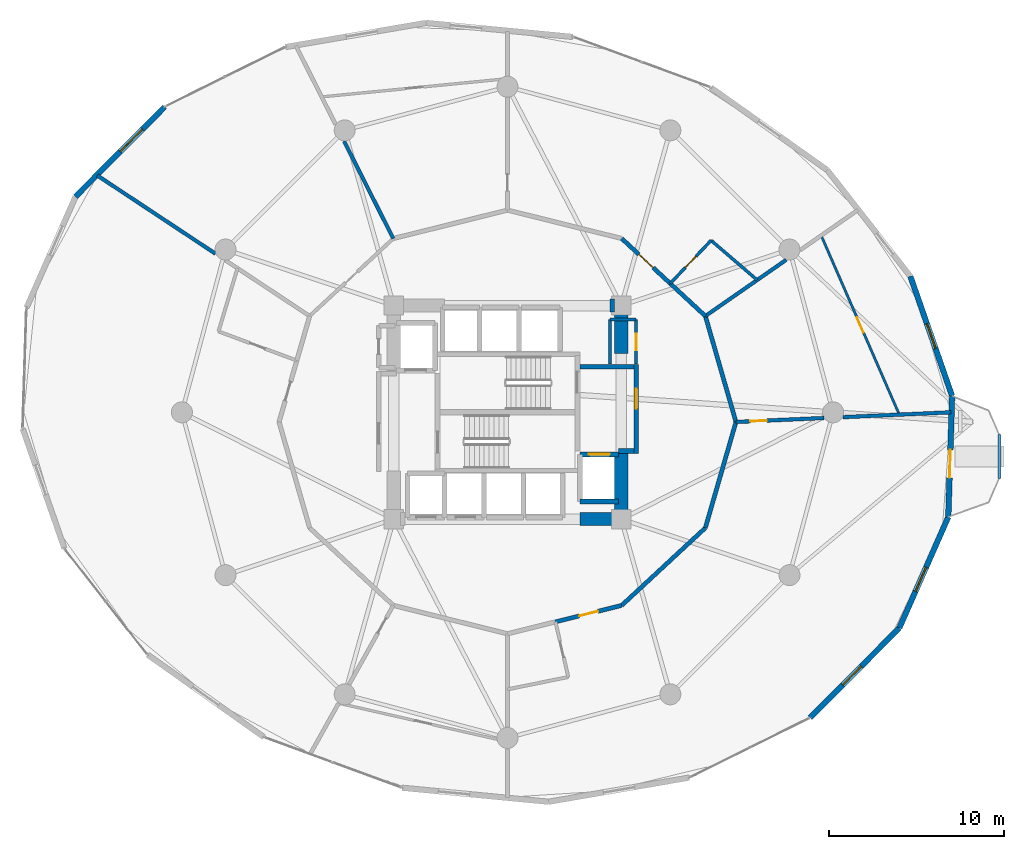
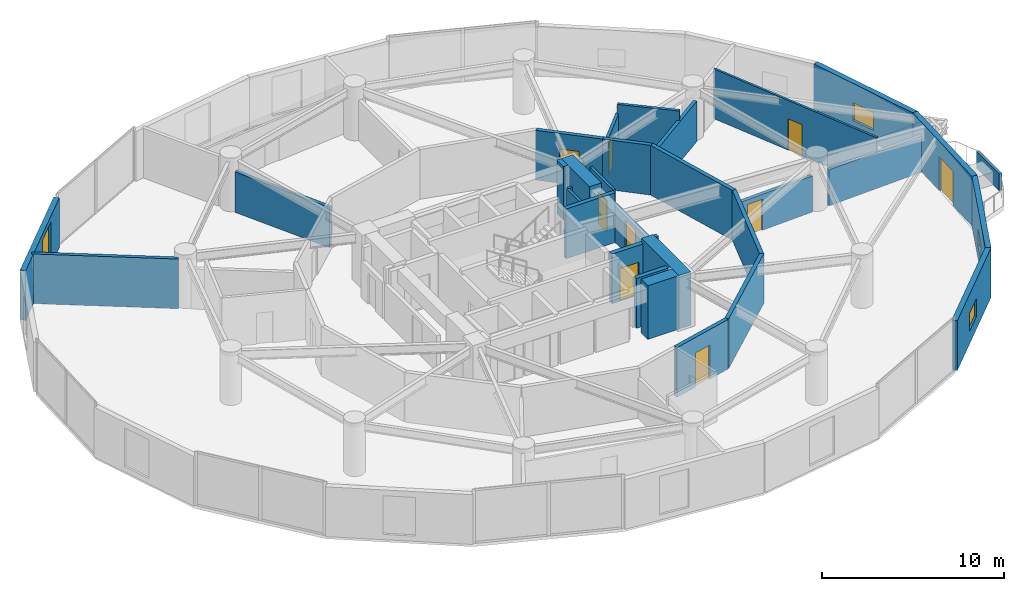
# One storey, part 18 of 22: 32 walls, 9 doors, 4 windows, 13 openings.
"""IFC4 building model written with IfcOpenShell, lengths in metres."""

from ifc_helpers import new_model, si_unit, direction, frame, frame_2d, origin, place, context, subcontext, project, spatial, rectangle, extrude, material, layer, layer_set, type_object, element, fill, save


model = new_model("IFC4")

# Units and contexts
model_context = context("Model", 3, precision=1e-05, world=origin(), true_north=direction((0.0, 1.0)))
body_context = subcontext(model_context, "Body", "Model", "MODEL_VIEW")
ifc_project = project(units=[si_unit("LENGTHUNIT", "METRE"), si_unit("AREAUNIT", "SQUARE_METRE"), si_unit("VOLUMEUNIT", "CUBIC_METRE"), si_unit("PLANEANGLEUNIT", "RADIAN"), si_unit("MASSUNIT", "GRAM", prefix="KILO")], contexts=[model_context])

# Site, building, storey
site_placement = place(None, origin())
site = spatial("IfcSite", under=ifc_project, at=site_placement, CompositionType="ELEMENT")
building_placement = place(site_placement, origin())
building = spatial("IfcBuilding", under=site, at=building_placement, Name="Solvirekh Grand Hotel", CompositionType="ELEMENT")
storey_placement = place(building_placement, frame((0.0, 0.0, 53.60009765625)))
storey = spatial("IfcBuildingStorey", under=building, at=storey_placement, Name="L12", CompositionType="ELEMENT", Elevation=53.60009765625)

# Wall
ifc_material_1 = material(Name="Concrete C40/50", Category="concrete")
ifc_layer_1 = layer(ifc_material_1, 0.280029296875)
ifc_layer_set_1 = layer_set([ifc_layer_1], Name="Concrete C40/50")
wall_type_1 = type_object("IfcWallType", Name="CoreShaftWall_RC280", PredefinedType="SOLIDWALL", material=ifc_layer_set_1)
wall_1_placement = place(storey_placement, frame((4.14990234375, -5.10009765625, 0.0), z_axis=(0.0, 0.0, 1.0), x_axis=(1.0, 0.0, 0.0)))
element("IfcWall", 1, at=wall_1_placement, inside=storey, type_object=wall_type_1, Name="L12 FL-2 hoistway S wall", PredefinedType="SOLIDWALL", context=body_context, shape_type="SweptSolid", body=[
    extrude(rectangle(XDim=2.2001953125, YDim=0.280029296875, at=frame_2d((1.10009765625, 0.0))), origin(), (0.0, 0.0, 1.0), 3.33984375),
])

# Wall, opening, door
wall_2_placement = place(storey_placement, frame((6.35009765625, -2.39990234375, 0.0), z_axis=(0.0, 0.0, 1.0), x_axis=(-1.0, 0.0, 0.0)))
wall_2 = element("IfcWall", 2, at=wall_2_placement, inside=storey, type_object=wall_type_1, Name="L12 FL-2 hoistway N wall", PredefinedType="SOLIDWALL", context=body_context, shape_type="SweptSolid", body=[
    extrude(rectangle(XDim=2.2001953125, YDim=0.280029296875, at=frame_2d((1.10009765625, 0.0))), origin(), (0.0, 0.0, 1.0), 3.33984375),
])
opening_1_placement = place(wall_2_placement, frame((0.5, 0.0, 0.0)))
opening_1 = element("IfcOpeningElement", 3, at=opening_1_placement, cuts=wall_2, Name="Opening LD02", PredefinedType="OPENING", context=body_context, shape_type="SweptSolid", body=[
    extrude(rectangle(XDim=1.199951171875, YDim=2.199951171875, at=frame_2d((0.60009765625, 1.10009765625))), frame((0.0, 0.14990234375, 0.0), z_axis=(0.0, -1.0, 0.0), x_axis=(1.0, 0.0, 0.0)), (0.0, 0.0, 1.0), 0.300048828125),
])
ifc_material_2 = material(Name="Fire-Rated Steel Door Assembly", Category="steel")
door_type_1 = type_object("IfcDoorType", Name="Door_LiftFF_1200X2200", OperationType="SLIDING_TO_LEFT", PredefinedType="DOOR", material=ifc_material_2)
door_1_placement = place(opening_1_placement, origin())
door_1 = element("IfcDoor", 4, at=door_1_placement, inside=storey, type_object=door_type_1, Name="L12 FL-2 sliding lift landing door", OperationType="SLIDING_TO_LEFT", OverallHeight=2.199951171875, OverallWidth=1.199951171875, PredefinedType="DOOR", context=body_context, shape_type="SweptSolid", body=[
    extrude(rectangle(XDim=1.199951171875, YDim=2.199951171875, at=frame_2d((0.60009765625, 1.10009765625))), frame((0.0, 0.02490234375, 0.0), z_axis=(0.0, -1.0, 0.0), x_axis=(1.0, 0.0, 0.0)), (0.0, 0.0, 1.0), 0.050048828125),
])
fill(opening_1, door_1)

# Walls
ifc_material_3 = material(Name="Concrete C60/75", Category="concrete")
ifc_layer_2 = layer(ifc_material_3, 0.75)
ifc_layer_set_2 = layer_set([ifc_layer_2], Name="Concrete C60/75")
wall_type_2 = type_object("IfcWallType", Name="CoreWall_RC750", PredefinedType="SHEAR", material=ifc_layer_set_2)
wall_3_placement = place(storey_placement, frame((4.14990234375, -6.10009765625, 0.0), z_axis=(0.0, 0.0, 1.0), x_axis=(1.0, 0.0, 0.0)))
element("IfcWall", 5, at=wall_3_placement, inside=storey, type_object=wall_type_2, Name="L12 core corner shear wall SE-S", PredefinedType="SHEAR", context=body_context, shape_type="SweptSolid", body=[
    extrude(rectangle(XDim=1.97509765625, YDim=0.75, at=frame_2d((0.987548828125, 0.0))), origin(), (0.0, 0.0, 1.0), 3.599853515625),
])
wall_4_placement = place(storey_placement, frame((5.85009765625, 6.10009765625, 0.0), z_axis=(0.0, 0.0, 1.0), x_axis=(1.0, 0.0, 0.0)))
element("IfcWall", 6, at=wall_4_placement, inside=storey, type_object=wall_type_2, Name="L12 core corner shear wall NE-N", PredefinedType="SHEAR", context=body_context, shape_type="SweptSolid", body=[
    extrude(rectangle(XDim=0.27490234375, YDim=0.75, at=frame_2d((0.137451171875, 0.0))), origin(), (0.0, 0.0, 1.0), 3.599853515625),
])
wall_5_placement = place(storey_placement, frame((6.5, -6.47509765625, 0.0), z_axis=(0.0, 0.0, 1.0), x_axis=(0.0, 1.0, 0.0)))
element("IfcWall", 7, at=wall_5_placement, inside=storey, type_object=wall_type_2, Name="L12 core corner shear wall ES-E", PredefinedType="SHEAR", context=body_context, shape_type="SweptSolid", body=[
    extrude(rectangle(XDim=4.125, YDim=0.75, at=frame_2d((2.0625, 0.0))), origin(), (0.0, 0.0, 1.0), 3.599853515625),
])
wall_6_placement = place(storey_placement, frame((6.5, 3.35009765625, 0.0), z_axis=(0.0, 0.0, 1.0), x_axis=(0.0, 1.0, 0.0)))
element("IfcWall", 8, at=wall_6_placement, inside=storey, type_object=wall_type_2, Name="L12 core corner shear wall EN-E", PredefinedType="SHEAR", context=body_context, shape_type="SweptSolid", body=[
    extrude(rectangle(XDim=3.125, YDim=0.75, at=frame_2d((1.5625, 0.0))), origin(), (0.0, 0.0, 1.0), 3.599853515625),
])

# Wall, opening, door
ifc_material_4 = material(Name="Precast concrete C45/55", Category="concrete")
ifc_layer_3 = layer(ifc_material_4, 0.320068359375)
ifc_layer_set_3 = layer_set([ifc_layer_3], Name="Precast concrete C45/55")
wall_type_3 = type_object("IfcWallType", Name="ExtLobbyWall_RC320", PredefinedType="SOLIDWALL", material=ifc_layer_set_3)
wall_7_placement = place(storey_placement, frame((25.39697265625, 0.93994140625, 0.0), z_axis=(0.0, 0.0, 1.0), x_axis=(-0.031481284459, -0.999504341526, 0.0)))
wall_7 = element("IfcWall", 9, at=wall_7_placement, inside=storey, type_object=wall_type_3, Name="L12 exterior structural wall chord 1", PredefinedType="SOLIDWALL", context=body_context, shape_type="SweptSolid", body=[
    extrude(rectangle(XDim=6.92529296875, YDim=0.320068359375, at=frame_2d((3.462646484375, 0.0))), origin(), (0.0, 0.0, 1.0), 3.33984375),
])
opening_2_placement = place(wall_7_placement, frame((3.083984375, 0.0, 0.0)))
opening_2 = element("IfcOpeningElement", 10, at=opening_2_placement, cuts=wall_7, Name="Opening D04", PredefinedType="OPENING", context=body_context, shape_type="SweptSolid", body=[
    extrude(rectangle(XDim=1.60009765625, YDim=2.300048828125, at=frame_2d((0.800048828125, 1.14990234375))), frame((0.0, 0.169921875, 0.0), z_axis=(0.0, -1.0, 0.0), x_axis=(1.0, 0.0, 0.0)), (0.0, 0.0, 1.0), 0.340087890625),
])
ifc_material_5 = material(Name="Anodized Bronze Aluminium 6063-T6", Category="aluminium")
door_type_2 = type_object("IfcDoorType", Name="Door_ExtTerrace_1600X2300", OperationType="NOTDEFINED", PredefinedType="DOOR", material=ifc_material_5)
door_2_placement = place(opening_2_placement, origin())
door_2 = element("IfcDoor", 11, at=door_2_placement, inside=storey, type_object=door_type_2, Name="L12 East horn sky-garden terrace door (1)", OperationType="SINGLE_SWING_RIGHT", OverallHeight=2.300048828125, OverallWidth=1.60009765625, PredefinedType="DOOR", context=body_context, shape_type="SweptSolid", body=[
    extrude(rectangle(XDim=1.60009765625, YDim=2.300048828125, at=frame_2d((0.800048828125, 1.14990234375))), frame((0.0, 0.02490234375, 0.0), z_axis=(0.0, -1.0, 0.0), x_axis=(1.0, 0.0, 0.0)), (0.0, 0.0, 1.0), 0.050048828125),
])
fill(opening_2, door_2)

# Wall, opening, window
wall_8_placement = place(storey_placement, frame((23.01611328125, 7.77099609375, 0.0), z_axis=(0.0, 0.0, 1.0), x_axis=(0.329117450575, -0.944288993755, 0.0)))
wall_8 = element("IfcWall", 12, at=wall_8_placement, inside=storey, type_object=wall_type_3, Name="L12 cantilevered deck support wall chord 2", PredefinedType="SOLIDWALL", context=body_context, shape_type="SweptSolid", body=[
    extrude(rectangle(XDim=7.234130859375, YDim=0.320068359375, at=frame_2d((3.6171875, 0.0))), origin(), (0.0, 0.0, 1.0), 3.33984375),
])
opening_3_placement = place(wall_8_placement, frame((2.866943359375, 0.0, 0.85009765625)))
opening_3 = element("IfcOpeningElement", 13, at=opening_3_placement, cuts=wall_8, Name="Opening W05", PredefinedType="OPENING", context=body_context, shape_type="SweptSolid", body=[
    extrude(rectangle(XDim=1.5, YDim=1.199951171875, at=frame_2d((0.75, 0.60009765625))), frame((0.0, 0.169921875, 0.0), z_axis=(0.0, -1.0, 0.0), x_axis=(1.0, 0.0, 0.0)), (0.0, 0.0, 1.0), 0.340087890625),
])
ifc_material_6 = material(Name="Low-E Tinted Bronze Laminated Glass", Category="aluminium")
window_type_1 = type_object("IfcWindowType", Name="Win_PlantVent_1500X1200", PartitioningType="SINGLE_PANEL", PredefinedType="WINDOW", material=ifc_material_6)
window_1_placement = place(opening_3_placement, origin())
window_1 = element("IfcWindow", 14, at=window_1_placement, inside=storey, type_object=window_type_1, Name="L12 bronze-framed vision ribbon window 2", OverallHeight=1.199951171875, OverallWidth=1.5, PartitioningType="SINGLE_PANEL", PredefinedType="WINDOW", context=body_context, shape_type="SweptSolid", body=[
    extrude(rectangle(XDim=1.5, YDim=1.199951171875, at=frame_2d((0.75, 0.60009765625))), frame((0.0, 0.030029296875, 0.0), z_axis=(0.0, -1.0, 0.0), x_axis=(1.0, 0.0, 0.0)), (0.0, 0.0, 1.0), 0.06005859375),
])
fill(opening_3, window_1)

wall_9_placement = place(storey_placement, frame((-24.68408203125, 12.318115234375, 0.0), z_axis=(0.0, 0.0, 1.0), x_axis=(0.704841676805, 0.709364652798, 0.0)))
wall_9 = element("IfcWall", 15, at=wall_9_placement, inside=storey, type_object=wall_type_3, Name="L12 exterior structural wall chord 9", PredefinedType="SOLIDWALL", context=body_context, shape_type="SweptSolid", body=[
    extrude(rectangle(XDim=7.233154296875, YDim=0.320068359375, at=frame_2d((3.61669921875, 0.0))), origin(), (0.0, 0.0, 1.0), 3.33984375),
])
opening_4_placement = place(wall_9_placement, frame((3.637939453125, 0.0, 0.35009765625)))
opening_4 = element("IfcOpeningElement", 16, at=opening_4_placement, cuts=wall_9, Name="Opening W02", PredefinedType="OPENING", context=body_context, shape_type="SweptSolid", body=[
    extrude(rectangle(XDim=1.800048828125, YDim=2.60009765625, at=frame_2d((0.89990234375, 1.300048828125))), frame((0.0, 0.169921875, 0.0), z_axis=(0.0, -1.0, 0.0), x_axis=(1.0, 0.0, 0.0)), (0.0, 0.0, 1.0), 0.340087890625),
])
window_type_2 = type_object("IfcWindowType", Name="Win_LobbyExt_1800X2600", PartitioningType="SINGLE_PANEL", PredefinedType="WINDOW", material=ifc_material_6)
window_2_placement = place(opening_4_placement, origin())
window_2 = element("IfcWindow", 17, at=window_2_placement, inside=storey, type_object=window_type_2, Name="L12 panoramic bronze-framed window 9", OverallHeight=2.60009765625, OverallWidth=1.800048828125, PartitioningType="SINGLE_PANEL", PredefinedType="WINDOW", context=body_context, shape_type="SweptSolid", body=[
    extrude(rectangle(XDim=1.800048828125, YDim=2.60009765625, at=frame_2d((0.89990234375, 1.300048828125))), frame((0.0, 0.030029296875, 0.0), z_axis=(0.0, -1.0, 0.0), x_axis=(1.0, 0.0, 0.0)), (0.0, 0.0, 1.0), 0.06005859375),
])
fill(opening_4, window_2)

wall_10_placement = place(storey_placement, frame((22.384033203125, -12.318115234375, 0.0), z_axis=(0.0, 0.0, 1.0), x_axis=(-0.704841676805, -0.709364652798, 0.0)))
wall_10 = element("IfcWall", 18, at=wall_10_placement, inside=storey, type_object=wall_type_3, Name="L12 cantilevered deck support wall chord 19", PredefinedType="SOLIDWALL", context=body_context, shape_type="SweptSolid", body=[
    extrude(rectangle(XDim=7.233154296875, YDim=0.320068359375, at=frame_2d((3.61669921875, 0.0))), origin(), (0.0, 0.0, 1.0), 3.33984375),
])
opening_5_placement = place(wall_10_placement, frame((3.0849609375, 0.0, 0.85009765625)))
opening_5 = element("IfcOpeningElement", 19, at=opening_5_placement, cuts=wall_10, Name="Opening W05", PredefinedType="OPENING", context=body_context, shape_type="SweptSolid", body=[
    extrude(rectangle(XDim=1.5, YDim=1.199951171875, at=frame_2d((0.75, 0.60009765625))), frame((0.0, 0.169921875, 0.0), z_axis=(0.0, -1.0, 0.0), x_axis=(1.0, 0.0, 0.0)), (0.0, 0.0, 1.0), 0.340087890625),
])
window_3_placement = place(opening_5_placement, origin())
window_3 = element("IfcWindow", 20, at=window_3_placement, inside=storey, type_object=window_type_1, Name="L12 bronze-framed vision ribbon window 19", OverallHeight=1.199951171875, OverallWidth=1.5, PartitioningType="SINGLE_PANEL", PredefinedType="WINDOW", context=body_context, shape_type="SweptSolid", body=[
    extrude(rectangle(XDim=1.5, YDim=1.199951171875, at=frame_2d((0.75, 0.60009765625))), frame((0.0, 0.030029296875, 0.0), z_axis=(0.0, -1.0, 0.0), x_axis=(1.0, 0.0, 0.0)), (0.0, 0.0, 1.0), 0.06005859375),
])
fill(opening_5, window_3)

wall_11_placement = place(storey_placement, frame((25.178955078125, -5.98193359375, 0.0), z_axis=(0.0, 0.0, 1.0), x_axis=(-0.403585525447, -0.914941923648, 0.0)))
wall_11 = element("IfcWall", 21, at=wall_11_placement, inside=storey, type_object=wall_type_3, Name="L12 cantilevered deck support wall chord 20", PredefinedType="SOLIDWALL", context=body_context, shape_type="SweptSolid", body=[
    extrude(rectangle(XDim=6.92529296875, YDim=0.320068359375, at=frame_2d((3.462646484375, 0.0))), origin(), (0.0, 0.0, 1.0), 3.33984375),
])
opening_6_placement = place(wall_11_placement, frame((3.138916015625, 0.0, 0.85009765625)))
opening_6 = element("IfcOpeningElement", 22, at=opening_6_placement, cuts=wall_11, Name="Opening W05", PredefinedType="OPENING", context=body_context, shape_type="SweptSolid", body=[
    extrude(rectangle(XDim=1.5, YDim=1.199951171875, at=frame_2d((0.75, 0.60009765625))), frame((0.0, 0.169921875, 0.0), z_axis=(0.0, -1.0, 0.0), x_axis=(1.0, 0.0, 0.0)), (0.0, 0.0, 1.0), 0.340087890625),
])
window_4_placement = place(opening_6_placement, origin())
window_4 = element("IfcWindow", 23, at=window_4_placement, inside=storey, type_object=window_type_1, Name="L12 bronze-framed vision ribbon window 20", OverallHeight=1.199951171875, OverallWidth=1.5, PartitioningType="SINGLE_PANEL", PredefinedType="WINDOW", context=body_context, shape_type="SweptSolid", body=[
    extrude(rectangle(XDim=1.5, YDim=1.199951171875, at=frame_2d((0.75, 0.60009765625))), frame((0.0, 0.030029296875, 0.0), z_axis=(0.0, -1.0, 0.0), x_axis=(1.0, 0.0, 0.0)), (0.0, 0.0, 1.0), 0.06005859375),
])
fill(opening_6, window_4)

# Wall
ifc_layer_4 = layer(ifc_material_4, 0.179931640625)
ifc_layer_set_4 = layer_set([ifc_layer_4], Name="Precast concrete C45/55")
wall_type_4 = type_object("IfcWallType", Name="ExtPlanterWall_180", PredefinedType="PARAPET", material=ifc_layer_set_4)
wall_12_placement = place(storey_placement, frame((28.096923828125, -3.76708984375, 0.0), z_axis=(0.0, 0.0, 1.0), x_axis=(0.0, 1.0, 0.0)))
element("IfcWall", 24, at=wall_12_placement, inside=storey, type_object=wall_type_4, Name="L12 horn sky-garden planter parapet", PredefinedType="PARAPET", context=body_context, shape_type="SweptSolid", body=[
    extrude(rectangle(XDim=2.4921875, YDim=0.179931640625, at=frame_2d((1.24609375, 0.0))), origin(), (0.0, 0.0, 1.0), 1.119873046875),
])

# Wall, opening, door
ifc_material_7 = material(Name="Acoustic Gypsum Partition Assembly")
ifc_layer_5 = layer(ifc_material_7, 0.1650390625)
ifc_layer_set_5 = layer_set([ifc_layer_5], Name="Acoustic Gypsum Partition Assembly")
wall_type_5 = type_object("IfcWallType", Name="Part_BOH_165", PredefinedType="PARTITIONING", material=ifc_layer_set_5)
wall_13_placement = place(storey_placement, frame((7.35009765625, 2.75, 0.0), z_axis=(0.0, 0.0, 1.0), x_axis=(0.0, 1.0, 0.0)))
wall_13 = element("IfcWall", 25, at=wall_13_placement, inside=storey, type_object=wall_type_5, Name="L12 L12 Core Housekeeping & Linen Room wall 2", PredefinedType="PARTITIONING", context=body_context, shape_type="SweptSolid", body=[
    extrude(rectangle(XDim=2.550048828125, YDim=0.1650390625, at=frame_2d((1.27490234375, 0.0))), origin(), (0.0, 0.0, 1.0), 3.33984375),
])
opening_7_placement = place(wall_13_placement, frame((0.800048828125, 0.0, 0.0)))
opening_7 = element("IfcOpeningElement", 26, at=opening_7_placement, cuts=wall_13, Name="Opening D10", PredefinedType="OPENING", context=body_context, shape_type="SweptSolid", body=[
    extrude(rectangle(XDim=0.949951171875, YDim=2.10009765625, at=frame_2d((0.47509765625, 1.050048828125))), frame((0.0, 0.092529296875, 0.0), z_axis=(0.0, -1.0, 0.0), x_axis=(1.0, 0.0, 0.0)), (0.0, 0.0, 1.0), 0.18505859375),
])
door_type_3 = type_object("IfcDoorType", Name="Door_RoomInt_950X2100", OperationType="NOTDEFINED", PredefinedType="DOOR", material=ifc_material_5)
door_3_placement = place(opening_7_placement, origin())
door_3 = element("IfcDoor", 27, at=door_3_placement, inside=storey, type_object=door_type_3, Name="L12 L12 Core Housekeeping & Linen Room door", OperationType="SINGLE_SWING_RIGHT", OverallHeight=2.10009765625, OverallWidth=0.949951171875, PredefinedType="DOOR", context=body_context, shape_type="SweptSolid", body=[
    extrude(rectangle(XDim=0.949951171875, YDim=2.10009765625, at=frame_2d((0.47509765625, 1.050048828125))), frame((0.0, 0.02490234375, 0.0), z_axis=(0.0, -1.0, 0.0), x_axis=(1.0, 0.0, 0.0)), (0.0, 0.0, 1.0), 0.050048828125),
])
fill(opening_7, door_3)

# Walls
wall_14_placement = place(storey_placement, frame((7.35009765625, 5.300048828125, 0.0), z_axis=(0.0, 0.0, 1.0), x_axis=(-1.0, 0.0, 0.0)))
element("IfcWall", 28, at=wall_14_placement, inside=storey, type_object=wall_type_5, Name="L12 L12 Core Housekeeping & Linen Room wall 3", PredefinedType="PARTITIONING", context=body_context, shape_type="SweptSolid", body=[
    extrude(rectangle(XDim=1.5, YDim=0.1650390625, at=frame_2d((0.75, 0.0))), origin(), (0.0, 0.0, 1.0), 2.4248046875),
])
wall_15_placement = place(storey_placement, frame((5.85009765625, 5.300048828125, 0.0), z_axis=(0.0, 0.0, 1.0), x_axis=(0.0, -1.0, 0.0)))
element("IfcWall", 29, at=wall_15_placement, inside=storey, type_object=wall_type_5, Name="L12 L12 Core Housekeeping & Linen Room wall 4", PredefinedType="PARTITIONING", context=body_context, shape_type="SweptSolid", body=[
    extrude(rectangle(XDim=2.550048828125, YDim=0.1650390625, at=frame_2d((1.27490234375, 0.0))), origin(), (0.0, 0.0, 1.0), 2.4248046875),
])

# Wall, opening, door
ifc_layer_6 = layer(ifc_material_7, 0.239990234375)
ifc_layer_set_6 = layer_set([ifc_layer_6], Name="Acoustic Gypsum Partition Assembly")
wall_type_6 = type_object("IfcWallType", Name="Part_Corridor_240", PredefinedType="PARTITIONING", material=ifc_layer_set_6)
wall_16_placement = place(storey_placement, frame((7.35009765625, -2.340087890625, 0.0), z_axis=(0.0, 0.0, 1.0), x_axis=(0.0, 1.0, 0.0)))
wall_16 = element("IfcWall", 30, at=wall_16_placement, inside=storey, type_object=wall_type_6, Name="L12 east firefighting lobby smoke screen wall", PredefinedType="PARTITIONING", context=body_context, shape_type="SweptSolid", body=[
    extrude(rectangle(XDim=5.070068359375, YDim=0.239990234375, at=frame_2d((2.53515625, 0.0))), origin(), (0.0, 0.0, 1.0), 2.4248046875),
])
opening_8_placement = place(wall_16_placement, frame((2.548095703125, 0.0, 0.0)))
opening_8 = element("IfcOpeningElement", 31, at=opening_8_placement, cuts=wall_16, Name="Opening D06", PredefinedType="OPENING", context=body_context, shape_type="SweptSolid", body=[
    extrude(rectangle(XDim=1.14990234375, YDim=2.199951171875, at=frame_2d((0.574951171875, 1.10009765625))), frame((0.0, 0.1298828125, 0.0), z_axis=(0.0, -1.0, 0.0), x_axis=(1.0, 0.0, 0.0)), (0.0, 0.0, 1.0), 0.260009765625),
])
door_type_4 = type_object("IfcDoorType", Name="Door_FFLobby_1150X2200", OperationType="NOTDEFINED", PredefinedType="DOOR", material=ifc_material_2)
door_4_placement = place(opening_8_placement, origin())
door_4 = element("IfcDoor", 32, at=door_4_placement, inside=storey, type_object=door_type_4, Name="L12 east firefighting lobby smoke door", OperationType="SINGLE_SWING_RIGHT", OverallHeight=2.199951171875, OverallWidth=1.14990234375, PredefinedType="DOOR", context=body_context, shape_type="SweptSolid", body=[
    extrude(rectangle(XDim=1.14990234375, YDim=2.199951171875, at=frame_2d((0.574951171875, 1.10009765625))), frame((0.0, 0.02490234375, 0.0), z_axis=(0.0, -1.0, 0.0), x_axis=(1.0, 0.0, 0.0)), (0.0, 0.0, 1.0), 0.050048828125),
])
fill(opening_8, door_4)

# Walls
wall_17_placement = place(storey_placement, frame((6.52490234375, -11.029052734375, 0.0), z_axis=(0.0, 0.0, 1.0), x_axis=(0.733323191675, 0.679880207501, 0.0)))
element("IfcWall", 33, at=wall_17_placement, inside=storey, type_object=wall_type_6, Name="L12 Presidential Suite 1402 Living Room corridor wall 1", PredefinedType="PARTITIONING", context=body_context, shape_type="SweptSolid", body=[
    extrude(rectangle(XDim=6.514404296875, YDim=0.239990234375, at=frame_2d((3.25732421875, 0.0))), origin(), (0.0, 0.0, 1.0), 3.33984375),
])
wall_18_placement = place(storey_placement, frame((11.302001953125, -6.60009765625, 0.0), z_axis=(0.0, 0.0, 1.0), x_axis=(0.27757702443, 0.960703385811, 0.0)))
element("IfcWall", 34, at=wall_18_placement, inside=storey, type_object=wall_type_6, Name="L12 Presidential Suite 1402 Living Room corridor wall 2", PredefinedType="PARTITIONING", context=body_context, shape_type="SweptSolid", body=[
    extrude(rectangle(XDim=6.297607421875, YDim=0.239990234375, at=frame_2d((3.14892578125, 0.0))), origin(), (0.0, 0.0, 1.0), 3.33984375),
])

# Wall, opening, door
wall_19_placement = place(storey_placement, frame((2.739990234375, -11.968994140625, 0.0), z_axis=(0.0, 0.0, 1.0), x_axis=(0.97052060898, 0.24101814775, 0.0)))
wall_19 = element("IfcWall", 35, at=wall_19_placement, inside=storey, type_object=wall_type_6, Name="L12 Presidential Suite 1402 Living Room entrance wall", PredefinedType="PARTITIONING", context=body_context, shape_type="SweptSolid", body=[
    extrude(rectangle(XDim=3.89990234375, YDim=0.239990234375, at=frame_2d((1.949951171875, 0.0))), origin(), (0.0, 0.0, 1.0), 3.33984375),
])
opening_9_placement = place(wall_19_placement, frame((1.39990234375, 0.0, 0.0)))
opening_9 = element("IfcOpeningElement", 36, at=opening_9_placement, cuts=wall_19, Name="Opening D08", PredefinedType="OPENING", context=body_context, shape_type="SweptSolid", body=[
    extrude(rectangle(XDim=1.10009765625, YDim=2.300048828125, at=frame_2d((0.550048828125, 1.14990234375))), frame((0.0, 0.1298828125, 0.0), z_axis=(0.0, -1.0, 0.0), x_axis=(1.0, 0.0, 0.0)), (0.0, 0.0, 1.0), 0.260009765625),
])
door_type_5 = type_object("IfcDoorType", Name="Door_SuiteEntry_1100X2300", OperationType="NOTDEFINED", PredefinedType="DOOR", material=ifc_material_2)
door_5_placement = place(opening_9_placement, origin())
door_5 = element("IfcDoor", 37, at=door_5_placement, inside=storey, type_object=door_type_5, Name="L12 Presidential Suite 1402 Living Room entrance door", OperationType="SINGLE_SWING_RIGHT", OverallHeight=2.300048828125, OverallWidth=1.10009765625, PredefinedType="DOOR", context=body_context, shape_type="SweptSolid", body=[
    extrude(rectangle(XDim=1.10009765625, YDim=2.300048828125, at=frame_2d((0.550048828125, 1.14990234375))), frame((0.0, 0.02490234375, 0.0), z_axis=(0.0, -1.0, 0.0), x_axis=(1.0, 0.0, 0.0)), (0.0, 0.0, 1.0), 0.050048828125),
])
fill(opening_9, door_5)

# Walls
wall_20_placement = place(storey_placement, frame((13.050048828125, -0.550048828125, 0.0), z_axis=(0.0, 0.0, 1.0), x_axis=(-0.27757702443, 0.960703385811, 0.0)))
element("IfcWall", 38, at=wall_20_placement, inside=storey, type_object=wall_type_6, Name="L12 Presidential Suite 1402 Suite Foyer corridor enclosure wall", PredefinedType="PARTITIONING", context=body_context, shape_type="SweptSolid", body=[
    extrude(rectangle(XDim=6.297607421875, YDim=0.239990234375, at=frame_2d((3.14892578125, 0.0))), origin(), (0.0, 0.0, 1.0), 3.33984375),
])
wall_21_placement = place(storey_placement, frame((11.302001953125, 5.5, 0.0), z_axis=(0.0, 0.0, 1.0), x_axis=(-0.73328595385, 0.679920370254, 0.0)))
element("IfcWall", 39, at=wall_21_placement, inside=storey, type_object=wall_type_6, Name="L12 En-suite Bathroom 1403 corridor backing wall", PredefinedType="PARTITIONING", context=body_context, shape_type="SweptSolid", body=[
    extrude(rectangle(XDim=2.73583984375, YDim=0.239990234375, at=frame_2d((1.367919921875, 0.0))), origin(), (0.0, 0.0, 1.0), 3.33984375),
])

# Wall, opening, door
wall_22_placement = place(storey_placement, frame((9.2958984375, 7.360107421875, 0.0), z_axis=(0.0, 0.0, 1.0), x_axis=(-0.733350151535, 0.679851127265, 0.0)))
wall_22 = element("IfcWall", 40, at=wall_22_placement, inside=storey, type_object=wall_type_6, Name="L12 Diplomatic Suite 1403 Living Room entrance wall", PredefinedType="PARTITIONING", context=body_context, shape_type="SweptSolid", body=[
    extrude(rectangle(XDim=3.778564453125, YDim=0.239990234375, at=frame_2d((1.88916015625, 0.0))), origin(), (0.0, 0.0, 1.0), 3.33984375),
])
opening_10_placement = place(wall_22_placement, frame((1.339111328125, 0.0, 0.0)))
opening_10 = element("IfcOpeningElement", 41, at=opening_10_placement, cuts=wall_22, Name="Opening D08", PredefinedType="OPENING", context=body_context, shape_type="SweptSolid", body=[
    extrude(rectangle(XDim=1.10009765625, YDim=2.300048828125, at=frame_2d((0.550048828125, 1.14990234375))), frame((0.0, 0.1298828125, 0.0), z_axis=(0.0, -1.0, 0.0), x_axis=(1.0, 0.0, 0.0)), (0.0, 0.0, 1.0), 0.260009765625),
])
door_6_placement = place(opening_10_placement, origin())
door_6 = element("IfcDoor", 42, at=door_6_placement, inside=storey, type_object=door_type_5, Name="L12 Diplomatic Suite 1403 Living Room entrance door", OperationType="SINGLE_SWING_RIGHT", OverallHeight=2.300048828125, OverallWidth=1.10009765625, PredefinedType="DOOR", context=body_context, shape_type="SweptSolid", body=[
    extrude(rectangle(XDim=1.10009765625, YDim=2.300048828125, at=frame_2d((0.550048828125, 1.14990234375))), frame((0.0, 0.02490234375, 0.0), z_axis=(0.0, -1.0, 0.0), x_axis=(1.0, 0.0, 0.0)), (0.0, 0.0, 1.0), 0.050048828125),
])
fill(opening_10, door_6)

# Walls
ifc_layer_7 = layer(ifc_material_7, 0.260009765625)
ifc_layer_set_7 = layer_set([ifc_layer_7], Name="Acoustic Gypsum Partition Assembly")
wall_type_7 = type_object("IfcWallType", Name="Part_LobbyFF_260", PredefinedType="PARTITIONING", material=ifc_layer_set_7)
wall_23_placement = place(storey_placement, frame((6.35009765625, -2.2099609375, 0.0), z_axis=(0.0, 0.0, 1.0), x_axis=(1.0, 0.0, 0.0)))
element("IfcWall", 43, at=wall_23_placement, inside=storey, type_object=wall_type_7, Name="L12 east firefighting lobby SE cheek", PredefinedType="PARTITIONING", context=body_context, shape_type="SweptSolid", body=[
    extrude(rectangle(XDim=0.875, YDim=0.260009765625, at=frame_2d((0.4375, 0.0))), origin(), (0.0, 0.0, 1.0), 3.33984375),
])
wall_24_placement = place(storey_placement, frame((4.1298828125, 2.60009765625, 0.0), z_axis=(0.0, 0.0, 1.0), x_axis=(1.0, 0.0, 0.0)))
element("IfcWall", 44, at=wall_24_placement, inside=storey, type_object=wall_type_7, Name="L12 east firefighting lobby north partition", PredefinedType="PARTITIONING", context=body_context, shape_type="SweptSolid", body=[
    extrude(rectangle(XDim=3.09521484375, YDim=0.260009765625, at=frame_2d((1.547607421875, 0.0))), origin(), (0.0, 0.0, 1.0), 3.33984375),
])

# Wall, opening, door
ifc_layer_8 = layer(ifc_material_7, 0.135009765625)
ifc_layer_set_8 = layer_set([ifc_layer_8], Name="Acoustic Gypsum Partition Assembly")
wall_type_8 = type_object("IfcWallType", Name="Part_RoomInt_135", PredefinedType="PARTITIONING", material=ifc_layer_set_8)
wall_25_placement = place(storey_placement, frame((22.381103515625, -0.132080078125, 0.0), z_axis=(0.0, 0.0, 1.0), x_axis=(-0.399734330655, 0.916631040766, 0.0)))
wall_25 = element("IfcWall", 45, at=wall_25_placement, inside=storey, type_object=wall_type_8, Name="L12 Presidential Suite 1402 Suite Foyer bedroom screen wall", PredefinedType="PARTITIONING", context=body_context, shape_type="SweptSolid", body=[
    extrude(rectangle(XDim=11.162841796875, YDim=0.135009765625, at=frame_2d((5.58154296875, 0.0))), origin(), (0.0, 0.0, 1.0), 3.33984375),
])
opening_11_placement = place(wall_25_placement, frame((5.10595703125, 0.0, 0.0)))
opening_11 = element("IfcOpeningElement", 46, at=opening_11_placement, cuts=wall_25, Name="Opening D10", PredefinedType="OPENING", context=body_context, shape_type="SweptSolid", body=[
    extrude(rectangle(XDim=0.949951171875, YDim=2.10009765625, at=frame_2d((0.47509765625, 1.050048828125))), frame((0.0, 0.07763671875, 0.0), z_axis=(0.0, -1.0, 0.0), x_axis=(1.0, 0.0, 0.0)), (0.0, 0.0, 1.0), 0.155029296875),
])
door_7_placement = place(opening_11_placement, origin())
door_7 = element("IfcDoor", 47, at=door_7_placement, inside=storey, type_object=door_type_3, Name="L12 Presidential Suite 1402 Suite Foyer master bedroom door", OperationType="SINGLE_SWING_RIGHT", OverallHeight=2.10009765625, OverallWidth=0.949951171875, PredefinedType="DOOR", context=body_context, shape_type="SweptSolid", body=[
    extrude(rectangle(XDim=0.949951171875, YDim=2.10009765625, at=frame_2d((0.47509765625, 1.050048828125))), frame((0.0, 0.02490234375, 0.0), z_axis=(0.0, -1.0, 0.0), x_axis=(1.0, 0.0, 0.0)), (0.0, 0.0, 1.0), 0.050048828125),
])
fill(opening_11, door_7)

ifc_layer_9 = layer(ifc_material_7, 0.2099609375)
ifc_layer_set_9 = layer_set([ifc_layer_9], Name="Acoustic Gypsum Partition Assembly")
wall_type_9 = type_object("IfcWallType", Name="Part_SuiteDemise_210", PredefinedType="PARTITIONING", material=ifc_layer_set_9)
wall_26_placement = place(storey_placement, frame((13.050048828125, -0.550048828125, 0.0), z_axis=(0.0, 0.0, 1.0), x_axis=(0.99899698028, 0.044777599213, 0.0)))
wall_26 = element("IfcWall", 48, at=wall_26_placement, inside=storey, type_object=wall_type_9, Name="L12 suite radial wall 1 (A)", PredefinedType="PARTITIONING", context=body_context, shape_type="SweptSolid", body=[
    extrude(rectangle(XDim=5.027099609375, YDim=0.2099609375, at=frame_2d((2.513671875, 0.0))), origin(), (0.0, 0.0, 1.0), 2.419921875),
])
opening_12_placement = place(wall_26_placement, frame((0.81494140625, 0.0, 0.0)))
opening_12 = element("IfcOpeningElement", 49, at=opening_12_placement, cuts=wall_26, Name="Opening D10", PredefinedType="OPENING", context=body_context, shape_type="SweptSolid", body=[
    extrude(rectangle(XDim=0.949951171875, YDim=2.10009765625, at=frame_2d((0.47509765625, 1.050048828125))), frame((0.0, 0.114990234375, 0.0), z_axis=(0.0, -1.0, 0.0), x_axis=(1.0, 0.0, 0.0)), (0.0, 0.0, 1.0), 0.22998046875),
])
door_8_placement = place(opening_12_placement, origin())
door_8 = element("IfcDoor", 50, at=door_8_placement, inside=storey, type_object=door_type_3, Name="L12 Presidential Suite 1402 Suite Foyer suite connecting door", OperationType="SINGLE_SWING_LEFT", OverallHeight=2.10009765625, OverallWidth=0.949951171875, PredefinedType="DOOR", context=body_context, shape_type="SweptSolid", body=[
    extrude(rectangle(XDim=0.949951171875, YDim=2.10009765625, at=frame_2d((0.47509765625, 1.050048828125))), frame((0.0, 0.02490234375, 0.0), z_axis=(0.0, -1.0, 0.0), x_axis=(1.0, 0.0, 0.0)), (0.0, 0.0, 1.0), 0.050048828125),
])
fill(opening_12, door_8)

# Walls
wall_27_placement = place(storey_placement, frame((19.155029296875, -0.277099609375, 0.0), z_axis=(0.0, 0.0, 1.0), x_axis=(0.998993644045, 0.044851969383, 0.0)))
element("IfcWall", 51, at=wall_27_placement, inside=storey, type_object=wall_type_9, Name="L12 suite radial wall 1 (B)", PredefinedType="PARTITIONING", context=body_context, shape_type="SweptSolid", body=[
    extrude(rectangle(XDim=6.177978515625, YDim=0.2099609375, at=frame_2d((3.0888671875, 0.0))), origin(), (0.0, 0.0, 1.0), 2.419921875),
])
wall_28_placement = place(storey_placement, frame((11.302001953125, 5.5, 0.0), z_axis=(0.0, 0.0, 1.0), x_axis=(0.821057380735, 0.570845668759, 0.0)))
element("IfcWall", 52, at=wall_28_placement, inside=storey, type_object=wall_type_9, Name="L12 suite radial wall 2 (A)", PredefinedType="PARTITIONING", context=body_context, shape_type="SweptSolid", body=[
    extrude(rectangle(XDim=5.623046875, YDim=0.2099609375, at=frame_2d((2.8115234375, 0.0))), origin(), (0.0, 0.0, 1.0), 2.708984375),
])
wall_29_placement = place(storey_placement, frame((-6.52490234375, 9.928955078125, 0.0), z_axis=(0.0, 0.0, 1.0), x_axis=(-0.451065638839, 0.89249077836, 0.0)))
element("IfcWall", 53, at=wall_29_placement, inside=storey, type_object=wall_type_9, Name="L12 suite radial wall 5 (A)", PredefinedType="PARTITIONING", context=body_context, shape_type="SweptSolid", body=[
    extrude(rectangle(XDim=6.229736328125, YDim=0.2099609375, at=frame_2d((3.11474609375, 0.0))), origin(), (0.0, 0.0, 1.0), 2.708984375),
])
wall_30_placement = place(storey_placement, frame((-16.678955078125, 9.05908203125, 0.0), z_axis=(0.0, 0.0, 1.0), x_axis=(-0.833869330646, 0.551961900324, 0.0)))
element("IfcWall", 54, at=wall_30_placement, inside=storey, type_object=wall_type_9, Name="L12 suite radial wall 6 (B)", PredefinedType="PARTITIONING", context=body_context, shape_type="SweptSolid", body=[
    extrude(rectangle(XDim=8.0947265625, YDim=0.2099609375, at=frame_2d((4.04736328125, 0.0))), origin(), (0.0, 0.0, 1.0), 3.33984375),
])
ifc_layer_10 = layer(ifc_material_7, 0.175048828125)
ifc_layer_set_10 = layer_set([ifc_layer_10], Name="Acoustic Gypsum Partition Assembly")
wall_type_10 = type_object("IfcWallType", Name="Plumb_Ensuite_175", PredefinedType="PLUMBINGWALL", material=ifc_layer_set_10)
wall_31_placement = place(storey_placement, frame((14.261962890625, 7.55810546875, 0.0), z_axis=(0.0, 0.0, 1.0), x_axis=(-0.758416766399, 0.651769904525, 0.0)))
element("IfcWall", 55, at=wall_31_placement, inside=storey, type_object=wall_type_10, Name="L12 En-suite Bathroom 1403 outer plumbing wall", PredefinedType="PLUMBINGWALL", context=body_context, shape_type="SweptSolid", body=[
    extrude(rectangle(XDim=3.470458984375, YDim=0.175048828125, at=frame_2d((1.7353515625, 0.0))), origin(), (0.0, 0.0, 1.0), 3.33984375),
])

# Wall, opening, door
wall_32_placement = place(storey_placement, frame((9.2958984375, 7.360107421875, 0.0), z_axis=(0.0, 0.0, 1.0), x_axis=(0.688287635692, 0.725437888832, 0.0)))
wall_32 = element("IfcWall", 56, at=wall_32_placement, inside=storey, type_object=wall_type_10, Name="L12 En-suite Bathroom 1403 entry plumbing wall", PredefinedType="PLUMBINGWALL", context=body_context, shape_type="SweptSolid", body=[
    extrude(rectangle(XDim=3.39111328125, YDim=0.175048828125, at=frame_2d((1.695556640625, 0.0))), origin(), (0.0, 0.0, 1.0), 2.708984375),
])
opening_13_placement = place(wall_32_placement, frame((1.24609375, 0.0, 0.0)))
opening_13 = element("IfcOpeningElement", 57, at=opening_13_placement, cuts=wall_32, Name="Opening D09", PredefinedType="OPENING", context=body_context, shape_type="SweptSolid", body=[
    extrude(rectangle(XDim=0.89990234375, YDim=2.10009765625, at=frame_2d((0.449951171875, 1.050048828125))), frame((0.0, 0.09765625, 0.0), z_axis=(0.0, -1.0, 0.0), x_axis=(1.0, 0.0, 0.0)), (0.0, 0.0, 1.0), 0.195068359375),
])
door_type_6 = type_object("IfcDoorType", Name="Door_Ensuite_900X2100", OperationType="NOTDEFINED", PredefinedType="DOOR", material=ifc_material_5)
door_9_placement = place(opening_13_placement, origin())
door_9 = element("IfcDoor", 58, at=door_9_placement, inside=storey, type_object=door_type_6, Name="L12 En-suite Bathroom 1403 door", OperationType="SINGLE_SWING_LEFT", OverallHeight=2.10009765625, OverallWidth=0.89990234375, PredefinedType="DOOR", context=body_context, shape_type="SweptSolid", body=[
    extrude(rectangle(XDim=0.89990234375, YDim=2.10009765625, at=frame_2d((0.449951171875, 1.050048828125))), frame((0.0, 0.02490234375, 0.0), z_axis=(0.0, -1.0, 0.0), x_axis=(1.0, 0.0, 0.0)), (0.0, 0.0, 1.0), 0.050048828125),
])
fill(opening_13, door_9)

save(model, "model.ifc")
